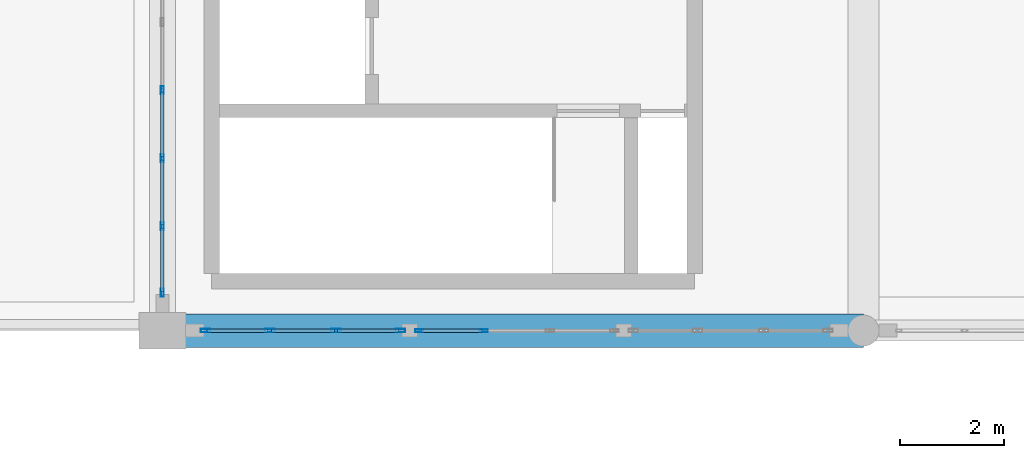
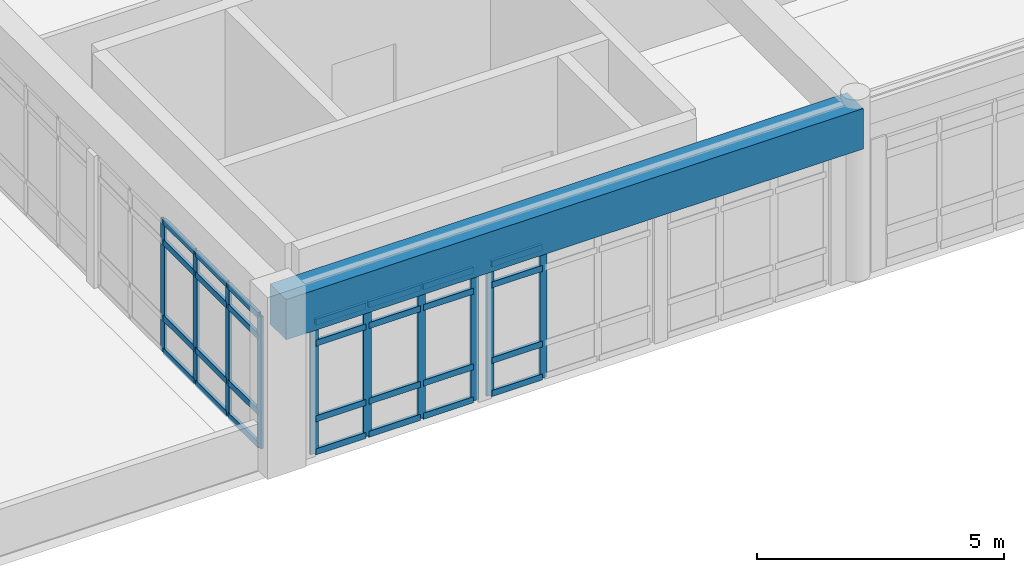
# One storey, part 38 of 109: 38 members, 1 beam, 3 elements without a shape of their own.
"""IFC4 building model written with IfcOpenShell, lengths in metres."""

from ifc_helpers import new_model, si_unit, direction, frame, origin, origin_2d, place, context, subcontext, project, spatial, rectangle, hollow_rectangle, extrude, material, layer, layer_set, material_profile, profile_set, type_object, element, aggregate, save


model = new_model("IFC4")

# Units and contexts
model_context = context("Model", 3, precision=1e-05, world=origin(), true_north=direction((0.0, 1.0)))
body_context = subcontext(model_context, "Body", "Model", "MODEL_VIEW")
ifc_project = project(units=[si_unit("LENGTHUNIT", "METRE"), si_unit("AREAUNIT", "SQUARE_METRE"), si_unit("VOLUMEUNIT", "CUBIC_METRE"), si_unit("PLANEANGLEUNIT", "RADIAN"), si_unit("MASSUNIT", "GRAM", prefix="KILO")], contexts=[model_context])

# Site, building, storey
site_placement = place(None, origin())
site = spatial("IfcSite", under=ifc_project, at=site_placement, CompositionType="ELEMENT")
building_placement = place(site_placement, origin())
building = spatial("IfcBuilding", under=site, at=building_placement, Name="Fikremerkos Civic Library", CompositionType="ELEMENT")
storey_placement = place(building_placement, frame((0.0, 0.0, 5.39990234375)))
storey = spatial("IfcBuildingStorey", under=building, at=storey_placement, Name="L01", CompositionType="ELEMENT", Elevation=5.39990234375)

# Curtain wall, members
ifc_material_1 = material(Name="Anodized aluminium Frame", Category="aluminium")
ifc_layer_1 = layer(ifc_material_1, 0.159912109375, Name="Anodized aluminium Frame")
ifc_layer_set_1 = layer_set([ifc_layer_1], Name="Anodized aluminium Frame")
curtain_wall_type_1 = type_object("IfcCurtainWallType", Name="Unitised curtain wall CW-01 3600x3600", PredefinedType="USERDEFINED", material=ifc_layer_set_1)
curtain_wall_1_placement = place(storey_placement, origin())
curtain_wall_1 = element("IfcCurtainWall", 1, at=curtain_wall_1_placement, inside=storey, type_object=curtain_wall_type_1, Name="Unitised curtain wall CW-01 L01 #127", ObjectType="UNITISED CURTAIN WALL", PredefinedType="USERDEFINED")
ifc_material_profile_1 = material_profile(ifc_material_1, hollow_rectangle(XDim=0.06494140625, YDim=0.179931640625, WallThickness=0.00439453125, at=origin_2d()), Name="ALU 180x65x4.5")
ifc_profile_set_1 = profile_set([ifc_material_profile_1], Name="Anodized aluminium Frame")
member_type_1 = type_object("IfcMemberType", Name="Curtain mullion CWM-01 ALU 180x65x4.5", PredefinedType="MULLION", material=ifc_profile_set_1)
member_1_placement = place(storey_placement, frame((77.783447265625, 96.0, 0.0), z_axis=(0.0, 0.0, 1.0), x_axis=(0.0, -1.0, 0.0)))
member_1 = element("IfcMember", 2, at=member_1_placement, type_object=member_type_1, Name="CW-01 mullion 1", PredefinedType="MULLION", context=body_context, shape_type="SweptSolid", body=[
    extrude(hollow_rectangle(XDim=0.06494140625, YDim=0.179931640625, WallThickness=0.00439453125, at=origin_2d()), origin(), (0.0, 0.0, 1.0), 3.27001953125),
])
member_2_placement = place(storey_placement, frame((76.543212890625, 96.0, 0.0), z_axis=(0.0, 0.0, 1.0), x_axis=(0.0, -1.0, 0.0)))
member_2 = element("IfcMember", 3, at=member_2_placement, type_object=member_type_1, Name="CW-01 mullion 2", PredefinedType="MULLION", context=body_context, shape_type="SweptSolid", body=[
    extrude(hollow_rectangle(XDim=0.06494140625, YDim=0.179931640625, WallThickness=0.00439453125, at=origin_2d()), origin(), (0.0, 0.0, 1.0), 3.27001953125),
])
member_3_placement = place(storey_placement, frame((75.270751953125, 96.0, 0.0), z_axis=(0.0, 0.0, 1.0), x_axis=(0.0, -1.0, 0.0)))
member_3 = element("IfcMember", 4, at=member_3_placement, type_object=member_type_1, Name="CW-01 mullion 3", PredefinedType="MULLION", context=body_context, shape_type="SweptSolid", body=[
    extrude(hollow_rectangle(XDim=0.06494140625, YDim=0.179931640625, WallThickness=0.00439453125, at=origin_2d()), origin(), (0.0, 0.0, 1.0), 3.27001953125),
])
member_4_placement = place(storey_placement, frame((74.030517578125, 96.0, 0.0), z_axis=(0.0, 0.0, 1.0), x_axis=(0.0, -1.0, 0.0)))
member_4 = element("IfcMember", 5, at=member_4_placement, type_object=member_type_1, Name="CW-01 mullion 4", PredefinedType="MULLION", context=body_context, shape_type="SweptSolid", body=[
    extrude(hollow_rectangle(XDim=0.06494140625, YDim=0.179931640625, WallThickness=0.00439453125, at=origin_2d()), origin(), (0.0, 0.0, 1.0), 3.27001953125),
])

ifc_layer_2 = layer(ifc_material_1, 0.159912109375, Name="Anodized aluminium Frame")
ifc_layer_set_2 = layer_set([ifc_layer_2], Name="Anodized aluminium Frame")
curtain_wall_type_2 = type_object("IfcCurtainWallType", Name="Unitised curtain wall CW-18 2700x3400", PredefinedType="USERDEFINED", material=ifc_layer_set_2)
curtain_wall_2_placement = place(storey_placement, origin())
curtain_wall_2 = element("IfcCurtainWall", 6, at=curtain_wall_2_placement, inside=storey, type_object=curtain_wall_type_2, Name="Unitised curtain wall CW-18 L01 #126", ObjectType="UNITISED CURTAIN WALL", PredefinedType="USERDEFINED")
ifc_material_profile_2 = material_profile(ifc_material_1, hollow_rectangle(XDim=0.06005859375, YDim=0.159912109375, WallThickness=0.00390625, at=origin_2d()), Name="ALU 160x60x4")
ifc_profile_set_2 = profile_set([ifc_material_profile_2], Name="Anodized aluminium Frame")
member_type_2 = type_object("IfcMemberType", Name="Curtain mullion CWM-02 ALU 160x60x4", PredefinedType="MULLION", material=ifc_profile_set_2)
member_5_placement = place(storey_placement, frame((79.388671875, 96.0, 0.0), z_axis=(0.0, 0.0, 1.0), x_axis=(0.0, -1.0, 0.0)))
member_5 = element("IfcMember", 7, at=member_5_placement, type_object=member_type_2, Name="CW-18 mullion 3", PredefinedType="MULLION", context=body_context, shape_type="SweptSolid", body=[
    extrude(hollow_rectangle(XDim=0.06005859375, YDim=0.159912109375, WallThickness=0.00390625, at=origin_2d()), origin(), (0.0, 0.0, 1.0), 3.27001953125),
])
member_6_placement = place(storey_placement, frame((78.14599609375, 96.0, 0.0), z_axis=(0.0, 0.0, 1.0), x_axis=(0.0, -1.0, 0.0)))
member_6 = element("IfcMember", 8, at=member_6_placement, type_object=member_type_2, Name="CW-18 mullion 4", PredefinedType="MULLION", context=body_context, shape_type="SweptSolid", body=[
    extrude(hollow_rectangle(XDim=0.06005859375, YDim=0.159912109375, WallThickness=0.00390625, at=origin_2d()), origin(), (0.0, 0.0, 1.0), 3.27001953125),
])

ifc_layer_3 = layer(ifc_material_1, 0.159912109375, Name="Anodized aluminium Frame")
ifc_layer_set_3 = layer_set([ifc_layer_3], Name="Anodized aluminium Frame")
curtain_wall_type_3 = type_object("IfcCurtainWallType", Name="Unitised curtain wall CW-02 3900x3600", PredefinedType="USERDEFINED", material=ifc_layer_set_3)
curtain_wall_3_placement = place(storey_placement, origin())
curtain_wall_3 = element("IfcCurtainWall", 9, at=curtain_wall_3_placement, inside=storey, type_object=curtain_wall_type_3, Name="Unitised curtain wall CW-02 L01 #128", ObjectType="UNITISED CURTAIN WALL", PredefinedType="USERDEFINED")
member_7_placement = place(storey_placement, frame((73.199951171875, 96.72802734375, 0.0), z_axis=(0.0, 0.0, 1.0), x_axis=(-1.0, 0.0, 0.0)))
member_7 = element("IfcMember", 10, at=member_7_placement, type_object=member_type_2, Name="CW-02 mullion 1", PredefinedType="MULLION", context=body_context, shape_type="SweptSolid", body=[
    extrude(hollow_rectangle(XDim=0.06005859375, YDim=0.159912109375, WallThickness=0.00390625, at=origin_2d()), origin(), (0.0, 0.0, 1.0), 3.27001953125),
])
member_8_placement = place(storey_placement, frame((73.199951171875, 98.00830078125, 0.0), z_axis=(0.0, 0.0, 1.0), x_axis=(-1.0, 0.0, 0.0)))
member_8 = element("IfcMember", 11, at=member_8_placement, type_object=member_type_2, Name="CW-02 mullion 2", PredefinedType="MULLION", context=body_context, shape_type="SweptSolid", body=[
    extrude(hollow_rectangle(XDim=0.06005859375, YDim=0.159912109375, WallThickness=0.00390625, at=origin_2d()), origin(), (0.0, 0.0, 1.0), 3.27001953125),
])
member_9_placement = place(storey_placement, frame((73.199951171875, 99.318603515625, 0.0), z_axis=(0.0, 0.0, 1.0), x_axis=(-1.0, 0.0, 0.0)))
member_9 = element("IfcMember", 12, at=member_9_placement, type_object=member_type_2, Name="CW-02 mullion 3", PredefinedType="MULLION", context=body_context, shape_type="SweptSolid", body=[
    extrude(hollow_rectangle(XDim=0.06005859375, YDim=0.159912109375, WallThickness=0.00390625, at=origin_2d()), origin(), (0.0, 0.0, 1.0), 3.27001953125),
])
member_10_placement = place(storey_placement, frame((73.199951171875, 100.62890625, 0.0), z_axis=(0.0, 0.0, 1.0), x_axis=(-1.0, 0.0, 0.0)))
member_10 = element("IfcMember", 13, at=member_10_placement, type_object=member_type_2, Name="CW-02 mullion 4", PredefinedType="MULLION", context=body_context, shape_type="SweptSolid", body=[
    extrude(hollow_rectangle(XDim=0.06005859375, YDim=0.159912109375, WallThickness=0.00390625, at=origin_2d()), origin(), (0.0, 0.0, 1.0), 3.27001953125),
])

# Member
ifc_material_profile_3 = material_profile(ifc_material_1, hollow_rectangle(XDim=0.070068359375, YDim=0.14990234375, WallThickness=0.00439453125, at=origin_2d()), Name="ALU 150x70x4.5")
ifc_profile_set_3 = profile_set([ifc_material_profile_3], Name="Anodized aluminium Frame")
member_type_3 = type_object("IfcMemberType", Name="Curtain transom CWT-01 ALU 150x70x4.5", PredefinedType="USERDEFINED", material=ifc_profile_set_3)
member_11_placement = place(storey_placement, frame((79.358642578125, 96.0, 0.03515625), z_axis=(-1.0, 0.0, 0.0), x_axis=(0.0, -1.0, 0.0)))
member_11 = element("IfcMember", 14, at=member_11_placement, type_object=member_type_3, Name="CW-18 transom 3.1", ObjectType="TRANSOM", PredefinedType="USERDEFINED", context=body_context, shape_type="SweptSolid", body=[
    extrude(hollow_rectangle(XDim=0.070068359375, YDim=0.14990234375, WallThickness=0.00439453125, at=origin_2d()), origin(), (0.0, 0.0, 1.0), 1.1826171875),
])

member_12_placement = place(storey_placement, frame((79.358642578125, 96.0, 0.85009765625), z_axis=(-1.0, 0.0, 0.0), x_axis=(0.0, -1.0, 0.0)))
member_12 = element("IfcMember", 15, at=member_12_placement, type_object=member_type_3, Name="CW-18 transom 3.2", ObjectType="TRANSOM", PredefinedType="USERDEFINED", context=body_context, shape_type="SweptSolid", body=[
    extrude(hollow_rectangle(XDim=0.070068359375, YDim=0.14990234375, WallThickness=0.00439453125, at=origin_2d()), origin(), (0.0, 0.0, 1.0), 1.1826171875),
])

member_13_placement = place(storey_placement, frame((79.358642578125, 96.0, 2.72021484375), z_axis=(-1.0, 0.0, 0.0), x_axis=(0.0, -1.0, 0.0)))
member_13 = element("IfcMember", 16, at=member_13_placement, type_object=member_type_3, Name="CW-18 transom 3.3", ObjectType="TRANSOM", PredefinedType="USERDEFINED", context=body_context, shape_type="SweptSolid", body=[
    extrude(hollow_rectangle(XDim=0.070068359375, YDim=0.14990234375, WallThickness=0.00439453125, at=origin_2d()), origin(), (0.0, 0.0, 1.0), 1.1826171875),
])

member_14_placement = place(storey_placement, frame((79.358642578125, 96.0, 3.235107421875), z_axis=(-1.0, 0.0, 0.0), x_axis=(0.0, -1.0, 0.0)))
member_14 = element("IfcMember", 17, at=member_14_placement, type_object=member_type_3, Name="CW-18 transom 3.4", ObjectType="TRANSOM", PredefinedType="USERDEFINED", context=body_context, shape_type="SweptSolid", body=[
    extrude(hollow_rectangle(XDim=0.070068359375, YDim=0.14990234375, WallThickness=0.00439453125, at=origin_2d()), origin(), (0.0, 0.0, 1.0), 1.1826171875),
])

aggregate(curtain_wall_2, [member_5, member_6, member_11, member_12, member_13, member_14])

member_15_placement = place(storey_placement, frame((77.7509765625, 96.0, 0.03515625), z_axis=(-1.0, 0.0, 0.0), x_axis=(0.0, -1.0, 0.0)))
member_15 = element("IfcMember", 18, at=member_15_placement, type_object=member_type_3, Name="CW-01 transom 1.1", ObjectType="TRANSOM", PredefinedType="USERDEFINED", context=body_context, shape_type="SweptSolid", body=[
    extrude(hollow_rectangle(XDim=0.070068359375, YDim=0.14990234375, WallThickness=0.00439453125, at=origin_2d()), origin(), (0.0, 0.0, 1.0), 1.175048828125),
])

member_16_placement = place(storey_placement, frame((77.7509765625, 96.0, 0.85009765625), z_axis=(-1.0, 0.0, 0.0), x_axis=(0.0, -1.0, 0.0)))
member_16 = element("IfcMember", 19, at=member_16_placement, type_object=member_type_3, Name="CW-01 transom 1.2", ObjectType="TRANSOM", PredefinedType="USERDEFINED", context=body_context, shape_type="SweptSolid", body=[
    extrude(hollow_rectangle(XDim=0.070068359375, YDim=0.14990234375, WallThickness=0.00439453125, at=origin_2d()), origin(), (0.0, 0.0, 1.0), 1.175048828125),
])

member_17_placement = place(storey_placement, frame((77.7509765625, 96.0, 2.72021484375), z_axis=(-1.0, 0.0, 0.0), x_axis=(0.0, -1.0, 0.0)))
member_17 = element("IfcMember", 20, at=member_17_placement, type_object=member_type_3, Name="CW-01 transom 1.3", ObjectType="TRANSOM", PredefinedType="USERDEFINED", context=body_context, shape_type="SweptSolid", body=[
    extrude(hollow_rectangle(XDim=0.070068359375, YDim=0.14990234375, WallThickness=0.00439453125, at=origin_2d()), origin(), (0.0, 0.0, 1.0), 1.175048828125),
])

member_18_placement = place(storey_placement, frame((77.7509765625, 96.0, 3.235107421875), z_axis=(-1.0, 0.0, 0.0), x_axis=(0.0, -1.0, 0.0)))
member_18 = element("IfcMember", 21, at=member_18_placement, type_object=member_type_3, Name="CW-01 transom 1.4", ObjectType="TRANSOM", PredefinedType="USERDEFINED", context=body_context, shape_type="SweptSolid", body=[
    extrude(hollow_rectangle(XDim=0.070068359375, YDim=0.14990234375, WallThickness=0.00439453125, at=origin_2d()), origin(), (0.0, 0.0, 1.0), 1.175048828125),
])

member_19_placement = place(storey_placement, frame((76.5107421875, 96.0, 0.03515625), z_axis=(-1.0, 0.0, 0.0), x_axis=(0.0, -1.0, 0.0)))
member_19 = element("IfcMember", 22, at=member_19_placement, type_object=member_type_3, Name="CW-01 transom 2.1", ObjectType="TRANSOM", PredefinedType="USERDEFINED", context=body_context, shape_type="SweptSolid", body=[
    extrude(hollow_rectangle(XDim=0.070068359375, YDim=0.14990234375, WallThickness=0.00439453125, at=origin_2d()), origin(), (0.0, 0.0, 1.0), 1.20751953125),
])

member_20_placement = place(storey_placement, frame((76.5107421875, 96.0, 0.85009765625), z_axis=(-1.0, 0.0, 0.0), x_axis=(0.0, -1.0, 0.0)))
member_20 = element("IfcMember", 23, at=member_20_placement, type_object=member_type_3, Name="CW-01 transom 2.2", ObjectType="TRANSOM", PredefinedType="USERDEFINED", context=body_context, shape_type="SweptSolid", body=[
    extrude(hollow_rectangle(XDim=0.070068359375, YDim=0.14990234375, WallThickness=0.00439453125, at=origin_2d()), origin(), (0.0, 0.0, 1.0), 1.20751953125),
])

member_21_placement = place(storey_placement, frame((76.5107421875, 96.0, 2.72021484375), z_axis=(-1.0, 0.0, 0.0), x_axis=(0.0, -1.0, 0.0)))
member_21 = element("IfcMember", 24, at=member_21_placement, type_object=member_type_3, Name="CW-01 transom 2.3", ObjectType="TRANSOM", PredefinedType="USERDEFINED", context=body_context, shape_type="SweptSolid", body=[
    extrude(hollow_rectangle(XDim=0.070068359375, YDim=0.14990234375, WallThickness=0.00439453125, at=origin_2d()), origin(), (0.0, 0.0, 1.0), 1.20751953125),
])

member_22_placement = place(storey_placement, frame((76.5107421875, 96.0, 3.235107421875), z_axis=(-1.0, 0.0, 0.0), x_axis=(0.0, -1.0, 0.0)))
member_22 = element("IfcMember", 25, at=member_22_placement, type_object=member_type_3, Name="CW-01 transom 2.4", ObjectType="TRANSOM", PredefinedType="USERDEFINED", context=body_context, shape_type="SweptSolid", body=[
    extrude(hollow_rectangle(XDim=0.070068359375, YDim=0.14990234375, WallThickness=0.00439453125, at=origin_2d()), origin(), (0.0, 0.0, 1.0), 1.20751953125),
])

member_23_placement = place(storey_placement, frame((75.23828125, 96.0, 0.03515625), z_axis=(-1.0, 0.0, 0.0), x_axis=(0.0, -1.0, 0.0)))
member_23 = element("IfcMember", 26, at=member_23_placement, type_object=member_type_3, Name="CW-01 transom 3.1", ObjectType="TRANSOM", PredefinedType="USERDEFINED", context=body_context, shape_type="SweptSolid", body=[
    extrude(hollow_rectangle(XDim=0.070068359375, YDim=0.14990234375, WallThickness=0.00439453125, at=origin_2d()), origin(), (0.0, 0.0, 1.0), 1.17529296875),
])

member_24_placement = place(storey_placement, frame((75.23828125, 96.0, 0.85009765625), z_axis=(-1.0, 0.0, 0.0), x_axis=(0.0, -1.0, 0.0)))
member_24 = element("IfcMember", 27, at=member_24_placement, type_object=member_type_3, Name="CW-01 transom 3.2", ObjectType="TRANSOM", PredefinedType="USERDEFINED", context=body_context, shape_type="SweptSolid", body=[
    extrude(hollow_rectangle(XDim=0.070068359375, YDim=0.14990234375, WallThickness=0.00439453125, at=origin_2d()), origin(), (0.0, 0.0, 1.0), 1.17529296875),
])

member_25_placement = place(storey_placement, frame((75.23828125, 96.0, 2.72021484375), z_axis=(-1.0, 0.0, 0.0), x_axis=(0.0, -1.0, 0.0)))
member_25 = element("IfcMember", 28, at=member_25_placement, type_object=member_type_3, Name="CW-01 transom 3.3", ObjectType="TRANSOM", PredefinedType="USERDEFINED", context=body_context, shape_type="SweptSolid", body=[
    extrude(hollow_rectangle(XDim=0.070068359375, YDim=0.14990234375, WallThickness=0.00439453125, at=origin_2d()), origin(), (0.0, 0.0, 1.0), 1.17529296875),
])

member_26_placement = place(storey_placement, frame((75.23828125, 96.0, 3.235107421875), z_axis=(-1.0, 0.0, 0.0), x_axis=(0.0, -1.0, 0.0)))
member_26 = element("IfcMember", 29, at=member_26_placement, type_object=member_type_3, Name="CW-01 transom 3.4", ObjectType="TRANSOM", PredefinedType="USERDEFINED", context=body_context, shape_type="SweptSolid", body=[
    extrude(hollow_rectangle(XDim=0.070068359375, YDim=0.14990234375, WallThickness=0.00439453125, at=origin_2d()), origin(), (0.0, 0.0, 1.0), 1.17529296875),
])

aggregate(curtain_wall_1, [member_1, member_2, member_3, member_4, member_15, member_16, member_17, member_18, member_19, member_20, member_21, member_22, member_23, member_24, member_25, member_26])

member_27_placement = place(storey_placement, frame((73.199951171875, 96.758056640625, 0.03515625), z_axis=(0.0, 1.0, 0.0), x_axis=(-1.0, 0.0, 0.0)))
member_27 = element("IfcMember", 30, at=member_27_placement, type_object=member_type_3, Name="CW-02 transom 1.1", ObjectType="TRANSOM", PredefinedType="USERDEFINED", context=body_context, shape_type="SweptSolid", body=[
    extrude(hollow_rectangle(XDim=0.070068359375, YDim=0.14990234375, WallThickness=0.00439453125, at=origin_2d()), origin(), (0.0, 0.0, 1.0), 1.22021484375),
])

member_28_placement = place(storey_placement, frame((73.199951171875, 96.758056640625, 0.85009765625), z_axis=(0.0, 1.0, 0.0), x_axis=(-1.0, 0.0, 0.0)))
member_28 = element("IfcMember", 31, at=member_28_placement, type_object=member_type_3, Name="CW-02 transom 1.2", ObjectType="TRANSOM", PredefinedType="USERDEFINED", context=body_context, shape_type="SweptSolid", body=[
    extrude(hollow_rectangle(XDim=0.070068359375, YDim=0.14990234375, WallThickness=0.00439453125, at=origin_2d()), origin(), (0.0, 0.0, 1.0), 1.22021484375),
])

member_29_placement = place(storey_placement, frame((73.199951171875, 96.758056640625, 2.72021484375), z_axis=(0.0, 1.0, 0.0), x_axis=(-1.0, 0.0, 0.0)))
member_29 = element("IfcMember", 32, at=member_29_placement, type_object=member_type_3, Name="CW-02 transom 1.3", ObjectType="TRANSOM", PredefinedType="USERDEFINED", context=body_context, shape_type="SweptSolid", body=[
    extrude(hollow_rectangle(XDim=0.070068359375, YDim=0.14990234375, WallThickness=0.00439453125, at=origin_2d()), origin(), (0.0, 0.0, 1.0), 1.22021484375),
])

member_30_placement = place(storey_placement, frame((73.199951171875, 96.758056640625, 3.235107421875), z_axis=(0.0, 1.0, 0.0), x_axis=(-1.0, 0.0, 0.0)))
member_30 = element("IfcMember", 33, at=member_30_placement, type_object=member_type_3, Name="CW-02 transom 1.4", ObjectType="TRANSOM", PredefinedType="USERDEFINED", context=body_context, shape_type="SweptSolid", body=[
    extrude(hollow_rectangle(XDim=0.070068359375, YDim=0.14990234375, WallThickness=0.00439453125, at=origin_2d()), origin(), (0.0, 0.0, 1.0), 1.22021484375),
])

member_31_placement = place(storey_placement, frame((73.199951171875, 98.038330078125, 0.03515625), z_axis=(0.0, 1.0, 0.0), x_axis=(-1.0, 0.0, 0.0)))
member_31 = element("IfcMember", 34, at=member_31_placement, type_object=member_type_3, Name="CW-02 transom 2.1", ObjectType="TRANSOM", PredefinedType="USERDEFINED", context=body_context, shape_type="SweptSolid", body=[
    extrude(hollow_rectangle(XDim=0.070068359375, YDim=0.14990234375, WallThickness=0.00439453125, at=origin_2d()), origin(), (0.0, 0.0, 1.0), 1.250244140625),
])

member_32_placement = place(storey_placement, frame((73.199951171875, 98.038330078125, 0.85009765625), z_axis=(0.0, 1.0, 0.0), x_axis=(-1.0, 0.0, 0.0)))
member_32 = element("IfcMember", 35, at=member_32_placement, type_object=member_type_3, Name="CW-02 transom 2.2", ObjectType="TRANSOM", PredefinedType="USERDEFINED", context=body_context, shape_type="SweptSolid", body=[
    extrude(hollow_rectangle(XDim=0.070068359375, YDim=0.14990234375, WallThickness=0.00439453125, at=origin_2d()), origin(), (0.0, 0.0, 1.0), 1.250244140625),
])

member_33_placement = place(storey_placement, frame((73.199951171875, 98.038330078125, 2.72021484375), z_axis=(0.0, 1.0, 0.0), x_axis=(-1.0, 0.0, 0.0)))
member_33 = element("IfcMember", 36, at=member_33_placement, type_object=member_type_3, Name="CW-02 transom 2.3", ObjectType="TRANSOM", PredefinedType="USERDEFINED", context=body_context, shape_type="SweptSolid", body=[
    extrude(hollow_rectangle(XDim=0.070068359375, YDim=0.14990234375, WallThickness=0.00439453125, at=origin_2d()), origin(), (0.0, 0.0, 1.0), 1.250244140625),
])

member_34_placement = place(storey_placement, frame((73.199951171875, 98.038330078125, 3.235107421875), z_axis=(0.0, 1.0, 0.0), x_axis=(-1.0, 0.0, 0.0)))
member_34 = element("IfcMember", 37, at=member_34_placement, type_object=member_type_3, Name="CW-02 transom 2.4", ObjectType="TRANSOM", PredefinedType="USERDEFINED", context=body_context, shape_type="SweptSolid", body=[
    extrude(hollow_rectangle(XDim=0.070068359375, YDim=0.14990234375, WallThickness=0.00439453125, at=origin_2d()), origin(), (0.0, 0.0, 1.0), 1.250244140625),
])

member_35_placement = place(storey_placement, frame((73.199951171875, 99.3486328125, 0.03515625), z_axis=(0.0, 1.0, 0.0), x_axis=(-1.0, 0.0, 0.0)))
member_35 = element("IfcMember", 38, at=member_35_placement, type_object=member_type_3, Name="CW-02 transom 3.1", ObjectType="TRANSOM", PredefinedType="USERDEFINED", context=body_context, shape_type="SweptSolid", body=[
    extrude(hollow_rectangle(XDim=0.070068359375, YDim=0.14990234375, WallThickness=0.00439453125, at=origin_2d()), origin(), (0.0, 0.0, 1.0), 1.250244140625),
])

member_36_placement = place(storey_placement, frame((73.199951171875, 99.3486328125, 0.85009765625), z_axis=(0.0, 1.0, 0.0), x_axis=(-1.0, 0.0, 0.0)))
member_36 = element("IfcMember", 39, at=member_36_placement, type_object=member_type_3, Name="CW-02 transom 3.2", ObjectType="TRANSOM", PredefinedType="USERDEFINED", context=body_context, shape_type="SweptSolid", body=[
    extrude(hollow_rectangle(XDim=0.070068359375, YDim=0.14990234375, WallThickness=0.00439453125, at=origin_2d()), origin(), (0.0, 0.0, 1.0), 1.250244140625),
])

member_37_placement = place(storey_placement, frame((73.199951171875, 99.3486328125, 2.72021484375), z_axis=(0.0, 1.0, 0.0), x_axis=(-1.0, 0.0, 0.0)))
member_37 = element("IfcMember", 40, at=member_37_placement, type_object=member_type_3, Name="CW-02 transom 3.3", ObjectType="TRANSOM", PredefinedType="USERDEFINED", context=body_context, shape_type="SweptSolid", body=[
    extrude(hollow_rectangle(XDim=0.070068359375, YDim=0.14990234375, WallThickness=0.00439453125, at=origin_2d()), origin(), (0.0, 0.0, 1.0), 1.250244140625),
])

member_38_placement = place(storey_placement, frame((73.199951171875, 99.3486328125, 3.235107421875), z_axis=(0.0, 1.0, 0.0), x_axis=(-1.0, 0.0, 0.0)))
member_38 = element("IfcMember", 41, at=member_38_placement, type_object=member_type_3, Name="CW-02 transom 3.4", ObjectType="TRANSOM", PredefinedType="USERDEFINED", context=body_context, shape_type="SweptSolid", body=[
    extrude(hollow_rectangle(XDim=0.070068359375, YDim=0.14990234375, WallThickness=0.00439453125, at=origin_2d()), origin(), (0.0, 0.0, 1.0), 1.250244140625),
])

aggregate(curtain_wall_3, [member_7, member_8, member_9, member_10, member_27, member_28, member_29, member_30, member_31, member_32, member_33, member_34, member_35, member_36, member_37, member_38])

# Beam
ifc_material_2 = material(Name="Concrete C45/55", Category="concrete")
ifc_material_profile_4 = material_profile(ifc_material_2, rectangle(XDim=0.64990234375, YDim=1.0, at=origin_2d()), Name="RC 650x1000")
ifc_profile_set_4 = profile_set([ifc_material_profile_4], Name="Concrete C45/55")
beam_type = type_object("IfcBeamType", Name="Primary girder BM-25 RC 650x1000", PredefinedType="BEAM", material=ifc_profile_set_4)
beam_placement = place(storey_placement, frame((73.199951171875, 96.0, 3.780029296875), z_axis=(1.0, 0.0, 0.0), x_axis=(0.0, 1.0, 0.0)))
element("IfcBeam", 42, at=beam_placement, inside=storey, type_object=beam_type, Name="Primary girder BM-25 L01 grid M", PredefinedType="BEAM", context=body_context, shape_type="SweptSolid", body=[
    extrude(rectangle(XDim=0.64990234375, YDim=1.0, at=origin_2d()), origin(), (0.0, 0.0, 1.0), 13.5),
])

save(model, "model.ifc")
